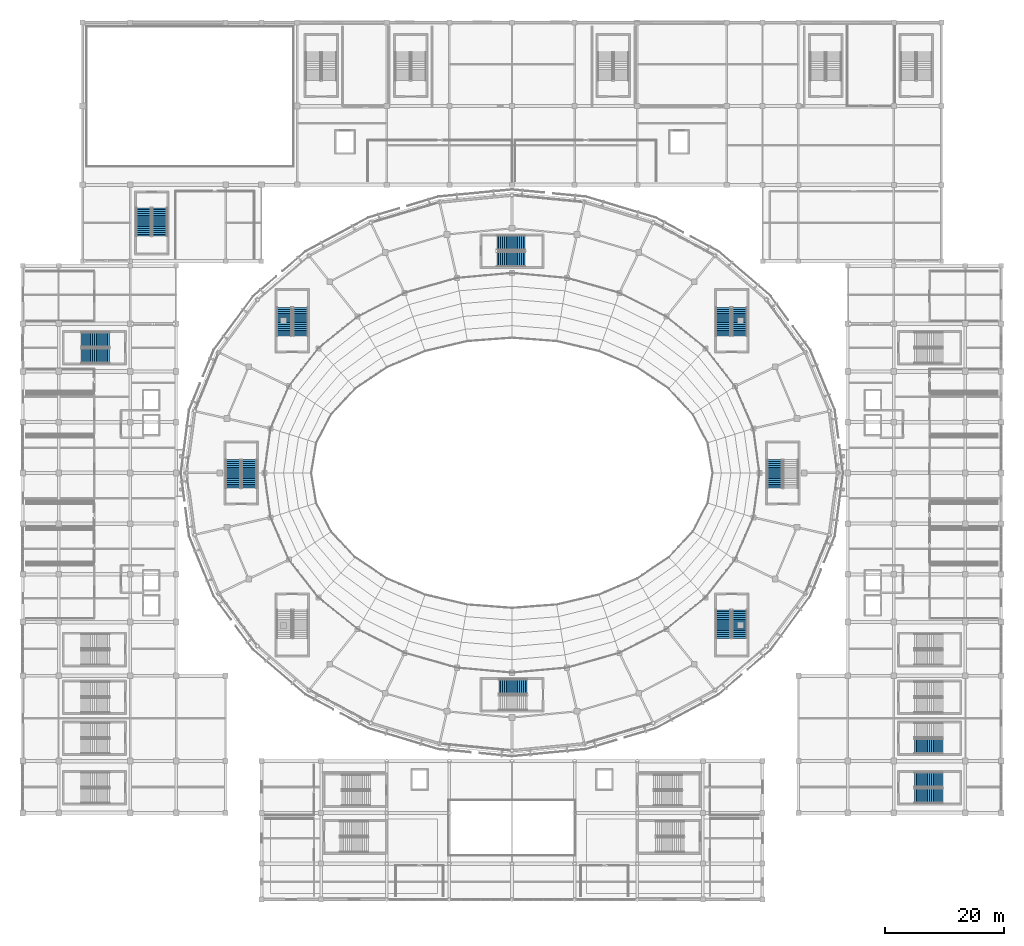
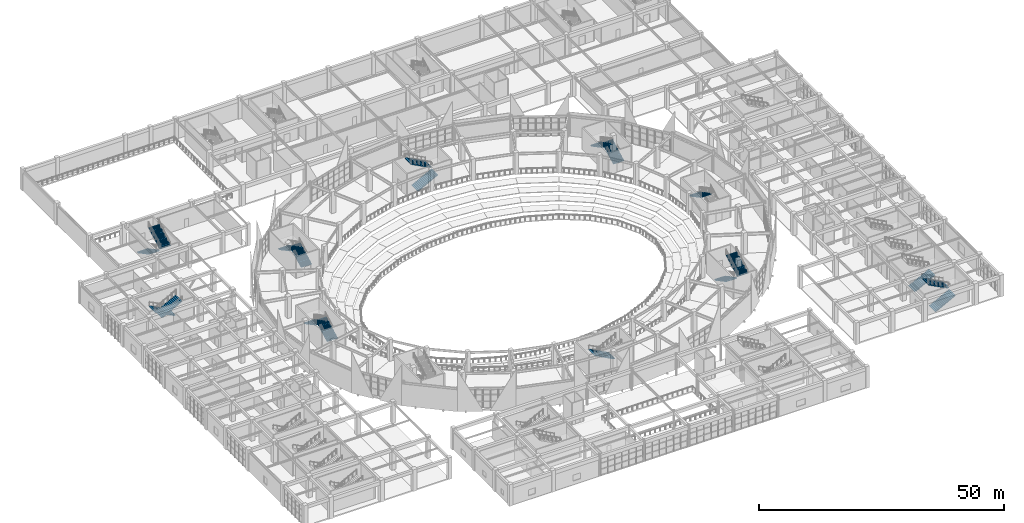
# One storey, part 87 of 120: 19 stair flights, 11 elements without a shape of their own.
"""IFC4 building model written with IfcOpenShell, lengths in metres."""

from ifc_helpers import new_model, si_unit, direction, frame, origin, place, context, subcontext, project, spatial, polyline, outline, extrude, material, type_object, element, aggregate, save


model = new_model("IFC4")

# Units and contexts
model_context = context("Model", 3, precision=1e-05, world=origin(), true_north=direction((0.0, 1.0)))
body_context = subcontext(model_context, "Body", "Model", "MODEL_VIEW")
ifc_project = project(units=[si_unit("LENGTHUNIT", "METRE"), si_unit("AREAUNIT", "SQUARE_METRE"), si_unit("VOLUMEUNIT", "CUBIC_METRE"), si_unit("PLANEANGLEUNIT", "RADIAN"), si_unit("MASSUNIT", "GRAM", prefix="KILO")], contexts=[model_context])

# Site, building, storey
site_placement = place(None, origin())
site = spatial("IfcSite", under=ifc_project, at=site_placement, CompositionType="ELEMENT")
building_placement = place(site_placement, origin())
building = spatial("IfcBuilding", under=site, at=building_placement, Name="Cuetzalor Civic Arena", CompositionType="ELEMENT")
storey_placement = place(building_placement, frame((0.0, 0.0, 6.0)))
storey = spatial("IfcBuildingStorey", under=building, at=storey_placement, Name="L01", CompositionType="ELEMENT", Elevation=6.0)

# Stair, stair flight
ifc_material_1 = material(Name="Precast concrete C40/50", Category="concrete")
stair_type = type_object("IfcStairType", Name="EnclosedExitStair_H540", PredefinedType="HALF_TURN_STAIR", material=ifc_material_1)
stair_1_placement = place(storey_placement, origin())
stair_1 = element("IfcStair", 1, at=stair_1_placement, inside=storey, type_object=stair_type, Name="L01 Enclosed Exit Stair ST-01", PredefinedType="HALF_TURN_STAIR")
ifc_material_2 = material(Name="Precast concrete C40/50", Category="concrete")
stair_flight_type = type_object("IfcStairFlightType", Name="ExitStairFlight_H540", PredefinedType="STRAIGHT", material=ifc_material_2)
stair_flight_1_placement = place(storey_placement, frame((44.050048828125, 2.219970703125, 2.699951171875), z_axis=(0.0, 0.0, 1.0), x_axis=(0.0, -1.0, 0.0)))
stair_flight_1 = element("IfcStairFlight", 2, at=stair_flight_1_placement, type_object=stair_flight_type, Name="ST-01 flight 2", NumberOfRisers=16, NumberOfTreads=15, PredefinedType="STRAIGHT", RiserHeight=0.16875, TreadLength=0.318, context=body_context, shape_type="SweptSolid", body=[
    extrude(outline(polyline([(0.0, 0.0), (0.0, 0.168701171875), (0.318115234375, 0.168701171875), (0.318115234375, 0.33740234375), (0.635986328125, 0.33740234375), (0.635986328125, 0.50634765625), (0.9541015625, 0.50634765625), (0.9541015625, 0.675048828125), (1.27197265625, 0.675048828125), (1.27197265625, 0.84375), (1.590087890625, 0.84375), (1.590087890625, 1.012451171875), (1.907958984375, 1.012451171875), (1.907958984375, 1.18115234375), (2.22607421875, 1.18115234375), (2.22607421875, 1.35009765625), (2.5439453125, 1.35009765625), (2.5439453125, 1.518798828125), (2.862060546875, 1.518798828125), (2.862060546875, 1.6875), (3.179931640625, 1.6875), (3.179931640625, 1.856201171875), (3.498046875, 1.856201171875), (3.498046875, 2.02490234375), (3.81591796875, 2.02490234375), (3.81591796875, 2.19384765625), (4.134033203125, 2.19384765625), (4.134033203125, 2.362548828125), (4.451904296875, 2.362548828125), (4.451904296875, 2.53125), (4.77001953125, 2.53125), (4.77001953125, 2.699951171875), (4.77001953125, 2.32763671875), (0.3837890625, 0.0), (0.0, 0.0)])), frame((0.0, 1.25, 0.0), z_axis=(0.0, -1.0, 0.0), x_axis=(1.0, 0.0, 0.0)), (0.0, 0.0, 1.0), 2.5),
])
aggregate(stair_1, [stair_flight_1])

# Stair, stair flights
stair_2_placement = place(storey_placement, origin())
stair_2 = element("IfcStair", 3, at=stair_2_placement, inside=storey, type_object=stair_type, Name="L01 Enclosed Exit Stair ST-02", PredefinedType="HALF_TURN_STAIR")
stair_flight_2_placement = place(storey_placement, frame((38.14990234375, 22.949951171875, 0.0), z_axis=(0.0, 0.0, 1.0), x_axis=(0.0, 1.0, 0.0)))
stair_flight_2 = element("IfcStairFlight", 4, at=stair_flight_2_placement, type_object=stair_flight_type, Name="ST-02 flight 1", NumberOfRisers=16, NumberOfTreads=15, PredefinedType="STRAIGHT", RiserHeight=0.16875, TreadLength=0.318, context=body_context, shape_type="SweptSolid", body=[
    extrude(outline(polyline([(0.0, 0.0), (0.0, 0.168701171875), (0.318115234375, 0.168701171875), (0.318115234375, 0.33740234375), (0.635986328125, 0.33740234375), (0.635986328125, 0.50634765625), (0.9541015625, 0.50634765625), (0.9541015625, 0.675048828125), (1.27197265625, 0.675048828125), (1.27197265625, 0.84375), (1.590087890625, 0.84375), (1.590087890625, 1.012451171875), (1.907958984375, 1.012451171875), (1.907958984375, 1.18115234375), (2.22607421875, 1.18115234375), (2.22607421875, 1.35009765625), (2.5439453125, 1.35009765625), (2.5439453125, 1.518798828125), (2.862060546875, 1.518798828125), (2.862060546875, 1.6875), (3.179931640625, 1.6875), (3.179931640625, 1.856201171875), (3.498046875, 1.856201171875), (3.498046875, 2.02490234375), (3.81591796875, 2.02490234375), (3.81591796875, 2.19384765625), (4.134033203125, 2.19384765625), (4.134033203125, 2.362548828125), (4.451904296875, 2.362548828125), (4.451904296875, 2.53125), (4.77001953125, 2.53125), (4.77001953125, 2.699951171875), (4.77001953125, 2.32763671875), (0.3837890625, 0.0), (0.0, 0.0)])), frame((0.0, 1.25, 0.0), z_axis=(0.0, -1.0, 0.0), x_axis=(1.0, 0.0, 0.0)), (0.0, 0.0, 1.0), 2.5),
])
stair_flight_3_placement = place(storey_placement, frame((35.449951171875, 27.719970703125, 2.699951171875), z_axis=(0.0, 0.0, 1.0), x_axis=(0.0, -1.0, 0.0)))
stair_flight_3 = element("IfcStairFlight", 5, at=stair_flight_3_placement, type_object=stair_flight_type, Name="ST-02 flight 2", NumberOfRisers=16, NumberOfTreads=15, PredefinedType="STRAIGHT", RiserHeight=0.16875, TreadLength=0.318, context=body_context, shape_type="SweptSolid", body=[
    extrude(outline(polyline([(0.0, 0.0), (0.0, 0.168701171875), (0.318115234375, 0.168701171875), (0.318115234375, 0.33740234375), (0.635986328125, 0.33740234375), (0.635986328125, 0.50634765625), (0.9541015625, 0.50634765625), (0.9541015625, 0.675048828125), (1.27197265625, 0.675048828125), (1.27197265625, 0.84375), (1.590087890625, 0.84375), (1.590087890625, 1.012451171875), (1.907958984375, 1.012451171875), (1.907958984375, 1.18115234375), (2.22607421875, 1.18115234375), (2.22607421875, 1.35009765625), (2.5439453125, 1.35009765625), (2.5439453125, 1.518798828125), (2.862060546875, 1.518798828125), (2.862060546875, 1.6875), (3.179931640625, 1.6875), (3.179931640625, 1.856201171875), (3.498046875, 1.856201171875), (3.498046875, 2.02490234375), (3.81591796875, 2.02490234375), (3.81591796875, 2.19384765625), (4.134033203125, 2.19384765625), (4.134033203125, 2.362548828125), (4.451904296875, 2.362548828125), (4.451904296875, 2.53125), (4.77001953125, 2.53125), (4.77001953125, 2.699951171875), (4.77001953125, 2.32763671875), (0.3837890625, 0.0), (0.0, 0.0)])), frame((0.0, 1.25, 0.0), z_axis=(0.0, -1.0, 0.0), x_axis=(1.0, 0.0, 0.0)), (0.0, 0.0, 1.0), 2.5),
])
aggregate(stair_2, [stair_flight_2, stair_flight_3])

stair_3_placement = place(storey_placement, origin())
stair_3 = element("IfcStair", 6, at=stair_3_placement, inside=storey, type_object=stair_type, Name="L01 Enclosed Exit Stair ST-03", PredefinedType="HALF_TURN_STAIR")
stair_flight_4_placement = place(storey_placement, frame((-2.550048828125, 35.85009765625, 0.0), z_axis=(0.0, 0.0, 1.0), x_axis=(1.0, 0.0, 0.0)))
stair_flight_4 = element("IfcStairFlight", 7, at=stair_flight_4_placement, type_object=stair_flight_type, Name="ST-03 flight 1", NumberOfRisers=16, NumberOfTreads=15, PredefinedType="STRAIGHT", RiserHeight=0.16875, TreadLength=0.318, context=body_context, shape_type="SweptSolid", body=[
    extrude(outline(polyline([(0.0, 0.0), (0.0, 0.168701171875), (0.318115234375, 0.168701171875), (0.318115234375, 0.33740234375), (0.635986328125, 0.33740234375), (0.635986328125, 0.50634765625), (0.9541015625, 0.50634765625), (0.9541015625, 0.675048828125), (1.27197265625, 0.675048828125), (1.27197265625, 0.84375), (1.590087890625, 0.84375), (1.590087890625, 1.012451171875), (1.907958984375, 1.012451171875), (1.907958984375, 1.18115234375), (2.22607421875, 1.18115234375), (2.22607421875, 1.35009765625), (2.5439453125, 1.35009765625), (2.5439453125, 1.518798828125), (2.862060546875, 1.518798828125), (2.862060546875, 1.6875), (3.179931640625, 1.6875), (3.179931640625, 1.856201171875), (3.498046875, 1.856201171875), (3.498046875, 2.02490234375), (3.81591796875, 2.02490234375), (3.81591796875, 2.19384765625), (4.134033203125, 2.19384765625), (4.134033203125, 2.362548828125), (4.451904296875, 2.362548828125), (4.451904296875, 2.53125), (4.77001953125, 2.53125), (4.77001953125, 2.699951171875), (4.77001953125, 2.32763671875), (0.3837890625, 0.0), (0.0, 0.0)])), frame((0.0, 1.25, 0.0), z_axis=(0.0, -1.0, 0.0), x_axis=(1.0, 0.0, 0.0)), (0.0, 0.0, 1.0), 2.5),
])
stair_flight_5_placement = place(storey_placement, frame((2.219970703125, 38.550048828125, 2.699951171875), z_axis=(0.0, 0.0, 1.0), x_axis=(-1.0, 0.0, 0.0)))
stair_flight_5 = element("IfcStairFlight", 8, at=stair_flight_5_placement, type_object=stair_flight_type, Name="ST-03 flight 2", NumberOfRisers=16, NumberOfTreads=15, PredefinedType="STRAIGHT", RiserHeight=0.16875, TreadLength=0.318, context=body_context, shape_type="SweptSolid", body=[
    extrude(outline(polyline([(0.0, 0.0), (0.0, 0.168701171875), (0.318115234375, 0.168701171875), (0.318115234375, 0.33740234375), (0.635986328125, 0.33740234375), (0.635986328125, 0.50634765625), (0.9541015625, 0.50634765625), (0.9541015625, 0.675048828125), (1.27197265625, 0.675048828125), (1.27197265625, 0.84375), (1.590087890625, 0.84375), (1.590087890625, 1.012451171875), (1.907958984375, 1.012451171875), (1.907958984375, 1.18115234375), (2.22607421875, 1.18115234375), (2.22607421875, 1.35009765625), (2.5439453125, 1.35009765625), (2.5439453125, 1.518798828125), (2.862060546875, 1.518798828125), (2.862060546875, 1.6875), (3.179931640625, 1.6875), (3.179931640625, 1.856201171875), (3.498046875, 1.856201171875), (3.498046875, 2.02490234375), (3.81591796875, 2.02490234375), (3.81591796875, 2.19384765625), (4.134033203125, 2.19384765625), (4.134033203125, 2.362548828125), (4.451904296875, 2.362548828125), (4.451904296875, 2.53125), (4.77001953125, 2.53125), (4.77001953125, 2.699951171875), (4.77001953125, 2.32763671875), (0.3837890625, 0.0), (0.0, 0.0)])), frame((0.0, 1.25, 0.0), z_axis=(0.0, -1.0, 0.0), x_axis=(1.0, 0.0, 0.0)), (0.0, 0.0, 1.0), 2.5),
])
aggregate(stair_3, [stair_flight_4, stair_flight_5])

stair_4_placement = place(storey_placement, origin())
stair_4 = element("IfcStair", 9, at=stair_4_placement, inside=storey, type_object=stair_type, Name="L01 Enclosed Exit Stair ST-04", PredefinedType="HALF_TURN_STAIR")
stair_flight_6_placement = place(storey_placement, frame((-35.449951171875, 22.949951171875, 0.0), z_axis=(0.0, 0.0, 1.0), x_axis=(0.0, 1.0, 0.0)))
stair_flight_6 = element("IfcStairFlight", 10, at=stair_flight_6_placement, type_object=stair_flight_type, Name="ST-04 flight 1", NumberOfRisers=16, NumberOfTreads=15, PredefinedType="STRAIGHT", RiserHeight=0.16875, TreadLength=0.318, context=body_context, shape_type="SweptSolid", body=[
    extrude(outline(polyline([(0.0, 0.0), (0.0, 0.168701171875), (0.318115234375, 0.168701171875), (0.318115234375, 0.33740234375), (0.635986328125, 0.33740234375), (0.635986328125, 0.50634765625), (0.9541015625, 0.50634765625), (0.9541015625, 0.675048828125), (1.27197265625, 0.675048828125), (1.27197265625, 0.84375), (1.590087890625, 0.84375), (1.590087890625, 1.012451171875), (1.907958984375, 1.012451171875), (1.907958984375, 1.18115234375), (2.22607421875, 1.18115234375), (2.22607421875, 1.35009765625), (2.5439453125, 1.35009765625), (2.5439453125, 1.518798828125), (2.862060546875, 1.518798828125), (2.862060546875, 1.6875), (3.179931640625, 1.6875), (3.179931640625, 1.856201171875), (3.498046875, 1.856201171875), (3.498046875, 2.02490234375), (3.81591796875, 2.02490234375), (3.81591796875, 2.19384765625), (4.134033203125, 2.19384765625), (4.134033203125, 2.362548828125), (4.451904296875, 2.362548828125), (4.451904296875, 2.53125), (4.77001953125, 2.53125), (4.77001953125, 2.699951171875), (4.77001953125, 2.32763671875), (0.3837890625, 0.0), (0.0, 0.0)])), frame((0.0, 1.25, 0.0), z_axis=(0.0, -1.0, 0.0), x_axis=(1.0, 0.0, 0.0)), (0.0, 0.0, 1.0), 2.5),
])
stair_flight_7_placement = place(storey_placement, frame((-38.14990234375, 27.719970703125, 2.699951171875), z_axis=(0.0, 0.0, 1.0), x_axis=(0.0, -1.0, 0.0)))
stair_flight_7 = element("IfcStairFlight", 11, at=stair_flight_7_placement, type_object=stair_flight_type, Name="ST-04 flight 2", NumberOfRisers=16, NumberOfTreads=15, PredefinedType="STRAIGHT", RiserHeight=0.16875, TreadLength=0.318, context=body_context, shape_type="SweptSolid", body=[
    extrude(outline(polyline([(0.0, 0.0), (0.0, 0.168701171875), (0.318115234375, 0.168701171875), (0.318115234375, 0.33740234375), (0.635986328125, 0.33740234375), (0.635986328125, 0.50634765625), (0.9541015625, 0.50634765625), (0.9541015625, 0.675048828125), (1.27197265625, 0.675048828125), (1.27197265625, 0.84375), (1.590087890625, 0.84375), (1.590087890625, 1.012451171875), (1.907958984375, 1.012451171875), (1.907958984375, 1.18115234375), (2.22607421875, 1.18115234375), (2.22607421875, 1.35009765625), (2.5439453125, 1.35009765625), (2.5439453125, 1.518798828125), (2.862060546875, 1.518798828125), (2.862060546875, 1.6875), (3.179931640625, 1.6875), (3.179931640625, 1.856201171875), (3.498046875, 1.856201171875), (3.498046875, 2.02490234375), (3.81591796875, 2.02490234375), (3.81591796875, 2.19384765625), (4.134033203125, 2.19384765625), (4.134033203125, 2.362548828125), (4.451904296875, 2.362548828125), (4.451904296875, 2.53125), (4.77001953125, 2.53125), (4.77001953125, 2.699951171875), (4.77001953125, 2.32763671875), (0.3837890625, 0.0), (0.0, 0.0)])), frame((0.0, 1.25, 0.0), z_axis=(0.0, -1.0, 0.0), x_axis=(1.0, 0.0, 0.0)), (0.0, 0.0, 1.0), 2.5),
])
aggregate(stair_4, [stair_flight_6, stair_flight_7])

stair_5_placement = place(storey_placement, origin())
stair_5 = element("IfcStair", 12, at=stair_5_placement, inside=storey, type_object=stair_type, Name="L01 Enclosed Exit Stair ST-05", PredefinedType="HALF_TURN_STAIR")
stair_flight_8_placement = place(storey_placement, frame((-44.050048828125, -2.550048828125, 0.0), z_axis=(0.0, 0.0, 1.0), x_axis=(0.0, 1.0, 0.0)))
stair_flight_8 = element("IfcStairFlight", 13, at=stair_flight_8_placement, type_object=stair_flight_type, Name="ST-05 flight 1", NumberOfRisers=16, NumberOfTreads=15, PredefinedType="STRAIGHT", RiserHeight=0.16875, TreadLength=0.318, context=body_context, shape_type="SweptSolid", body=[
    extrude(outline(polyline([(0.0, 0.0), (0.0, 0.168701171875), (0.318115234375, 0.168701171875), (0.318115234375, 0.33740234375), (0.635986328125, 0.33740234375), (0.635986328125, 0.50634765625), (0.9541015625, 0.50634765625), (0.9541015625, 0.675048828125), (1.27197265625, 0.675048828125), (1.27197265625, 0.84375), (1.590087890625, 0.84375), (1.590087890625, 1.012451171875), (1.907958984375, 1.012451171875), (1.907958984375, 1.18115234375), (2.22607421875, 1.18115234375), (2.22607421875, 1.35009765625), (2.5439453125, 1.35009765625), (2.5439453125, 1.518798828125), (2.862060546875, 1.518798828125), (2.862060546875, 1.6875), (3.179931640625, 1.6875), (3.179931640625, 1.856201171875), (3.498046875, 1.856201171875), (3.498046875, 2.02490234375), (3.81591796875, 2.02490234375), (3.81591796875, 2.19384765625), (4.134033203125, 2.19384765625), (4.134033203125, 2.362548828125), (4.451904296875, 2.362548828125), (4.451904296875, 2.53125), (4.77001953125, 2.53125), (4.77001953125, 2.699951171875), (4.77001953125, 2.32763671875), (0.3837890625, 0.0), (0.0, 0.0)])), frame((0.0, 1.25, 0.0), z_axis=(0.0, -1.0, 0.0), x_axis=(1.0, 0.0, 0.0)), (0.0, 0.0, 1.0), 2.5),
])
stair_flight_9_placement = place(storey_placement, frame((-46.75, 2.219970703125, 2.699951171875), z_axis=(0.0, 0.0, 1.0), x_axis=(0.0, -1.0, 0.0)))
stair_flight_9 = element("IfcStairFlight", 14, at=stair_flight_9_placement, type_object=stair_flight_type, Name="ST-05 flight 2", NumberOfRisers=16, NumberOfTreads=15, PredefinedType="STRAIGHT", RiserHeight=0.16875, TreadLength=0.318, context=body_context, shape_type="SweptSolid", body=[
    extrude(outline(polyline([(0.0, 0.0), (0.0, 0.168701171875), (0.318115234375, 0.168701171875), (0.318115234375, 0.33740234375), (0.635986328125, 0.33740234375), (0.635986328125, 0.50634765625), (0.9541015625, 0.50634765625), (0.9541015625, 0.675048828125), (1.27197265625, 0.675048828125), (1.27197265625, 0.84375), (1.590087890625, 0.84375), (1.590087890625, 1.012451171875), (1.907958984375, 1.012451171875), (1.907958984375, 1.18115234375), (2.22607421875, 1.18115234375), (2.22607421875, 1.35009765625), (2.5439453125, 1.35009765625), (2.5439453125, 1.518798828125), (2.862060546875, 1.518798828125), (2.862060546875, 1.6875), (3.179931640625, 1.6875), (3.179931640625, 1.856201171875), (3.498046875, 1.856201171875), (3.498046875, 2.02490234375), (3.81591796875, 2.02490234375), (3.81591796875, 2.19384765625), (4.134033203125, 2.19384765625), (4.134033203125, 2.362548828125), (4.451904296875, 2.362548828125), (4.451904296875, 2.53125), (4.77001953125, 2.53125), (4.77001953125, 2.699951171875), (4.77001953125, 2.32763671875), (0.3837890625, 0.0), (0.0, 0.0)])), frame((0.0, 1.25, 0.0), z_axis=(0.0, -1.0, 0.0), x_axis=(1.0, 0.0, 0.0)), (0.0, 0.0, 1.0), 2.5),
])
aggregate(stair_5, [stair_flight_8, stair_flight_9])

# Stair, stair flight
stair_6_placement = place(storey_placement, origin())
stair_6 = element("IfcStair", 15, at=stair_6_placement, inside=storey, type_object=stair_type, Name="L01 Enclosed Exit Stair ST-07", PredefinedType="HALF_TURN_STAIR")
stair_flight_10_placement = place(storey_placement, frame((2.550048828125, -35.85009765625, 0.0), z_axis=(0.0, 0.0, 1.0), x_axis=(-1.0, 0.0, 0.0)))
stair_flight_10 = element("IfcStairFlight", 16, at=stair_flight_10_placement, type_object=stair_flight_type, Name="ST-07 flight 1", NumberOfRisers=16, NumberOfTreads=15, PredefinedType="STRAIGHT", RiserHeight=0.16875, TreadLength=0.318, context=body_context, shape_type="SweptSolid", body=[
    extrude(outline(polyline([(0.0, 0.0), (0.0, 0.168701171875), (0.318115234375, 0.168701171875), (0.318115234375, 0.33740234375), (0.635986328125, 0.33740234375), (0.635986328125, 0.50634765625), (0.9541015625, 0.50634765625), (0.9541015625, 0.675048828125), (1.27197265625, 0.675048828125), (1.27197265625, 0.84375), (1.590087890625, 0.84375), (1.590087890625, 1.012451171875), (1.907958984375, 1.012451171875), (1.907958984375, 1.18115234375), (2.22607421875, 1.18115234375), (2.22607421875, 1.35009765625), (2.5439453125, 1.35009765625), (2.5439453125, 1.518798828125), (2.862060546875, 1.518798828125), (2.862060546875, 1.6875), (3.179931640625, 1.6875), (3.179931640625, 1.856201171875), (3.498046875, 1.856201171875), (3.498046875, 2.02490234375), (3.81591796875, 2.02490234375), (3.81591796875, 2.19384765625), (4.134033203125, 2.19384765625), (4.134033203125, 2.362548828125), (4.451904296875, 2.362548828125), (4.451904296875, 2.53125), (4.77001953125, 2.53125), (4.77001953125, 2.699951171875), (4.77001953125, 2.32763671875), (0.3837890625, 0.0), (0.0, 0.0)])), frame((0.0, 1.25, 0.0), z_axis=(0.0, -1.0, 0.0), x_axis=(1.0, 0.0, 0.0)), (0.0, 0.0, 1.0), 2.5),
])
aggregate(stair_6, [stair_flight_10])

# Stair, stair flights
stair_7_placement = place(storey_placement, origin())
stair_7 = element("IfcStair", 17, at=stair_7_placement, inside=storey, type_object=stair_type, Name="L01 Enclosed Exit Stair ST-08", PredefinedType="HALF_TURN_STAIR")
stair_flight_11_placement = place(storey_placement, frame((35.449951171875, -22.949951171875, 0.0), z_axis=(0.0, 0.0, 1.0), x_axis=(0.0, -1.0, 0.0)))
stair_flight_11 = element("IfcStairFlight", 18, at=stair_flight_11_placement, type_object=stair_flight_type, Name="ST-08 flight 1", NumberOfRisers=16, NumberOfTreads=15, PredefinedType="STRAIGHT", RiserHeight=0.16875, TreadLength=0.318, context=body_context, shape_type="SweptSolid", body=[
    extrude(outline(polyline([(0.0, 0.0), (0.0, 0.168701171875), (0.318115234375, 0.168701171875), (0.318115234375, 0.33740234375), (0.635986328125, 0.33740234375), (0.635986328125, 0.50634765625), (0.9541015625, 0.50634765625), (0.9541015625, 0.675048828125), (1.27197265625, 0.675048828125), (1.27197265625, 0.84375), (1.590087890625, 0.84375), (1.590087890625, 1.012451171875), (1.907958984375, 1.012451171875), (1.907958984375, 1.18115234375), (2.22607421875, 1.18115234375), (2.22607421875, 1.35009765625), (2.5439453125, 1.35009765625), (2.5439453125, 1.518798828125), (2.862060546875, 1.518798828125), (2.862060546875, 1.6875), (3.179931640625, 1.6875), (3.179931640625, 1.856201171875), (3.498046875, 1.856201171875), (3.498046875, 2.02490234375), (3.81591796875, 2.02490234375), (3.81591796875, 2.19384765625), (4.134033203125, 2.19384765625), (4.134033203125, 2.362548828125), (4.451904296875, 2.362548828125), (4.451904296875, 2.53125), (4.77001953125, 2.53125), (4.77001953125, 2.699951171875), (4.77001953125, 2.32763671875), (0.3837890625, 0.0), (0.0, 0.0)])), frame((0.0, 1.25, 0.0), z_axis=(0.0, -1.0, 0.0), x_axis=(1.0, 0.0, 0.0)), (0.0, 0.0, 1.0), 2.5),
])
stair_flight_12_placement = place(storey_placement, frame((38.14990234375, -27.719970703125, 2.699951171875), z_axis=(0.0, 0.0, 1.0), x_axis=(0.0, 1.0, 0.0)))
stair_flight_12 = element("IfcStairFlight", 19, at=stair_flight_12_placement, type_object=stair_flight_type, Name="ST-08 flight 2", NumberOfRisers=16, NumberOfTreads=15, PredefinedType="STRAIGHT", RiserHeight=0.16875, TreadLength=0.318, context=body_context, shape_type="SweptSolid", body=[
    extrude(outline(polyline([(0.0, 0.0), (0.0, 0.168701171875), (0.318115234375, 0.168701171875), (0.318115234375, 0.33740234375), (0.635986328125, 0.33740234375), (0.635986328125, 0.50634765625), (0.9541015625, 0.50634765625), (0.9541015625, 0.675048828125), (1.27197265625, 0.675048828125), (1.27197265625, 0.84375), (1.590087890625, 0.84375), (1.590087890625, 1.012451171875), (1.907958984375, 1.012451171875), (1.907958984375, 1.18115234375), (2.22607421875, 1.18115234375), (2.22607421875, 1.35009765625), (2.5439453125, 1.35009765625), (2.5439453125, 1.518798828125), (2.862060546875, 1.518798828125), (2.862060546875, 1.6875), (3.179931640625, 1.6875), (3.179931640625, 1.856201171875), (3.498046875, 1.856201171875), (3.498046875, 2.02490234375), (3.81591796875, 2.02490234375), (3.81591796875, 2.19384765625), (4.134033203125, 2.19384765625), (4.134033203125, 2.362548828125), (4.451904296875, 2.362548828125), (4.451904296875, 2.53125), (4.77001953125, 2.53125), (4.77001953125, 2.699951171875), (4.77001953125, 2.32763671875), (0.3837890625, 0.0), (0.0, 0.0)])), frame((0.0, 1.25, 0.0), z_axis=(0.0, -1.0, 0.0), x_axis=(1.0, 0.0, 0.0)), (0.0, 0.0, 1.0), 2.5),
])
aggregate(stair_7, [stair_flight_11, stair_flight_12])

stair_8_placement = place(storey_placement, origin())
stair_8 = element("IfcStair", 20, at=stair_8_placement, inside=storey, type_object=stair_type, Name="L01 Enclosed Exit Stair ST-17", PredefinedType="HALF_TURN_STAIR")
stair_flight_13_placement = place(storey_placement, frame((-67.449951171875, 22.35009765625, 0.0), z_axis=(0.0, 0.0, 1.0), x_axis=(-1.0, 0.0, 0.0)))
stair_flight_13 = element("IfcStairFlight", 21, at=stair_flight_13_placement, type_object=stair_flight_type, Name="ST-17 flight 1", NumberOfRisers=16, NumberOfTreads=15, PredefinedType="STRAIGHT", RiserHeight=0.16875, TreadLength=0.318, context=body_context, shape_type="SweptSolid", body=[
    extrude(outline(polyline([(0.0, 0.0), (0.0, 0.168701171875), (0.318115234375, 0.168701171875), (0.318115234375, 0.33740234375), (0.635986328125, 0.33740234375), (0.635986328125, 0.50634765625), (0.9541015625, 0.50634765625), (0.9541015625, 0.675048828125), (1.27197265625, 0.675048828125), (1.27197265625, 0.84375), (1.590087890625, 0.84375), (1.590087890625, 1.012451171875), (1.907958984375, 1.012451171875), (1.907958984375, 1.18115234375), (2.22607421875, 1.18115234375), (2.22607421875, 1.35009765625), (2.5439453125, 1.35009765625), (2.5439453125, 1.518798828125), (2.862060546875, 1.518798828125), (2.862060546875, 1.6875), (3.179931640625, 1.6875), (3.179931640625, 1.856201171875), (3.498046875, 1.856201171875), (3.498046875, 2.02490234375), (3.81591796875, 2.02490234375), (3.81591796875, 2.19384765625), (4.134033203125, 2.19384765625), (4.134033203125, 2.362548828125), (4.451904296875, 2.362548828125), (4.451904296875, 2.53125), (4.77001953125, 2.53125), (4.77001953125, 2.699951171875), (4.77001953125, 2.32763671875), (0.3837890625, 0.0), (0.0, 0.0)])), frame((0.0, 1.25, 0.0), z_axis=(0.0, -1.0, 0.0), x_axis=(1.0, 0.0, 0.0)), (0.0, 0.0, 1.0), 2.5),
])
stair_flight_14_placement = place(storey_placement, frame((-72.219970703125, 19.64990234375, 2.699951171875), z_axis=(0.0, 0.0, 1.0), x_axis=(1.0, 0.0, 0.0)))
stair_flight_14 = element("IfcStairFlight", 22, at=stair_flight_14_placement, type_object=stair_flight_type, Name="ST-17 flight 2", NumberOfRisers=16, NumberOfTreads=15, PredefinedType="STRAIGHT", RiserHeight=0.16875, TreadLength=0.318, context=body_context, shape_type="SweptSolid", body=[
    extrude(outline(polyline([(0.0, 0.0), (0.0, 0.168701171875), (0.318115234375, 0.168701171875), (0.318115234375, 0.33740234375), (0.635986328125, 0.33740234375), (0.635986328125, 0.50634765625), (0.9541015625, 0.50634765625), (0.9541015625, 0.675048828125), (1.27197265625, 0.675048828125), (1.27197265625, 0.84375), (1.590087890625, 0.84375), (1.590087890625, 1.012451171875), (1.907958984375, 1.012451171875), (1.907958984375, 1.18115234375), (2.22607421875, 1.18115234375), (2.22607421875, 1.35009765625), (2.5439453125, 1.35009765625), (2.5439453125, 1.518798828125), (2.862060546875, 1.518798828125), (2.862060546875, 1.6875), (3.179931640625, 1.6875), (3.179931640625, 1.856201171875), (3.498046875, 1.856201171875), (3.498046875, 2.02490234375), (3.81591796875, 2.02490234375), (3.81591796875, 2.19384765625), (4.134033203125, 2.19384765625), (4.134033203125, 2.362548828125), (4.451904296875, 2.362548828125), (4.451904296875, 2.53125), (4.77001953125, 2.53125), (4.77001953125, 2.699951171875), (4.77001953125, 2.32763671875), (0.3837890625, 0.0), (0.0, 0.0)])), frame((0.0, 1.25, 0.0), z_axis=(0.0, -1.0, 0.0), x_axis=(1.0, 0.0, 0.0)), (0.0, 0.0, 1.0), 2.5),
])
aggregate(stair_8, [stair_flight_13, stair_flight_14])

stair_9_placement = place(storey_placement, origin())
stair_9 = element("IfcStair", 23, at=stair_9_placement, inside=storey, type_object=stair_type, Name="L01 Enclosed Exit Stair ST-18", PredefinedType="HALF_TURN_STAIR")
stair_flight_15_placement = place(storey_placement, frame((67.449951171875, -54.14990234375, 0.0), z_axis=(0.0, 0.0, 1.0), x_axis=(1.0, 0.0, 0.0)))
stair_flight_15 = element("IfcStairFlight", 24, at=stair_flight_15_placement, type_object=stair_flight_type, Name="ST-18 flight 1", NumberOfRisers=16, NumberOfTreads=15, PredefinedType="STRAIGHT", RiserHeight=0.16875, TreadLength=0.318, context=body_context, shape_type="SweptSolid", body=[
    extrude(outline(polyline([(0.0, 0.0), (0.0, 0.168701171875), (0.318115234375, 0.168701171875), (0.318115234375, 0.33740234375), (0.635986328125, 0.33740234375), (0.635986328125, 0.50634765625), (0.9541015625, 0.50634765625), (0.9541015625, 0.675048828125), (1.27197265625, 0.675048828125), (1.27197265625, 0.84375), (1.590087890625, 0.84375), (1.590087890625, 1.012451171875), (1.907958984375, 1.012451171875), (1.907958984375, 1.18115234375), (2.22607421875, 1.18115234375), (2.22607421875, 1.35009765625), (2.5439453125, 1.35009765625), (2.5439453125, 1.518798828125), (2.862060546875, 1.518798828125), (2.862060546875, 1.6875), (3.179931640625, 1.6875), (3.179931640625, 1.856201171875), (3.498046875, 1.856201171875), (3.498046875, 2.02490234375), (3.81591796875, 2.02490234375), (3.81591796875, 2.19384765625), (4.134033203125, 2.19384765625), (4.134033203125, 2.362548828125), (4.451904296875, 2.362548828125), (4.451904296875, 2.53125), (4.77001953125, 2.53125), (4.77001953125, 2.699951171875), (4.77001953125, 2.32763671875), (0.3837890625, 0.0), (0.0, 0.0)])), frame((0.0, 1.25, 0.0), z_axis=(0.0, -1.0, 0.0), x_axis=(1.0, 0.0, 0.0)), (0.0, 0.0, 1.0), 2.5),
])
stair_flight_16_placement = place(storey_placement, frame((72.219970703125, -51.449951171875, 2.699951171875), z_axis=(0.0, 0.0, 1.0), x_axis=(-1.0, 0.0, 0.0)))
stair_flight_16 = element("IfcStairFlight", 25, at=stair_flight_16_placement, type_object=stair_flight_type, Name="ST-18 flight 2", NumberOfRisers=16, NumberOfTreads=15, PredefinedType="STRAIGHT", RiserHeight=0.16875, TreadLength=0.318, context=body_context, shape_type="SweptSolid", body=[
    extrude(outline(polyline([(0.0, 0.0), (0.0, 0.168701171875), (0.318115234375, 0.168701171875), (0.318115234375, 0.33740234375), (0.635986328125, 0.33740234375), (0.635986328125, 0.50634765625), (0.9541015625, 0.50634765625), (0.9541015625, 0.675048828125), (1.27197265625, 0.675048828125), (1.27197265625, 0.84375), (1.590087890625, 0.84375), (1.590087890625, 1.012451171875), (1.907958984375, 1.012451171875), (1.907958984375, 1.18115234375), (2.22607421875, 1.18115234375), (2.22607421875, 1.35009765625), (2.5439453125, 1.35009765625), (2.5439453125, 1.518798828125), (2.862060546875, 1.518798828125), (2.862060546875, 1.6875), (3.179931640625, 1.6875), (3.179931640625, 1.856201171875), (3.498046875, 1.856201171875), (3.498046875, 2.02490234375), (3.81591796875, 2.02490234375), (3.81591796875, 2.19384765625), (4.134033203125, 2.19384765625), (4.134033203125, 2.362548828125), (4.451904296875, 2.362548828125), (4.451904296875, 2.53125), (4.77001953125, 2.53125), (4.77001953125, 2.699951171875), (4.77001953125, 2.32763671875), (0.3837890625, 0.0), (0.0, 0.0)])), frame((0.0, 1.25, 0.0), z_axis=(0.0, -1.0, 0.0), x_axis=(1.0, 0.0, 0.0)), (0.0, 0.0, 1.0), 2.5),
])
aggregate(stair_9, [stair_flight_15, stair_flight_16])

# Stair, stair flight
stair_10_placement = place(storey_placement, origin())
stair_10 = element("IfcStair", 26, at=stair_10_placement, inside=storey, type_object=stair_type, Name="L01 Enclosed Exit Stair ST-19", PredefinedType="HALF_TURN_STAIR")
stair_flight_17_placement = place(storey_placement, frame((67.449951171875, -45.85009765625, 0.0), z_axis=(0.0, 0.0, 1.0), x_axis=(1.0, 0.0, 0.0)))
stair_flight_17 = element("IfcStairFlight", 27, at=stair_flight_17_placement, type_object=stair_flight_type, Name="ST-19 flight 1", NumberOfRisers=16, NumberOfTreads=15, PredefinedType="STRAIGHT", RiserHeight=0.16875, TreadLength=0.318, context=body_context, shape_type="SweptSolid", body=[
    extrude(outline(polyline([(0.0, 0.0), (0.0, 0.168701171875), (0.318115234375, 0.168701171875), (0.318115234375, 0.33740234375), (0.635986328125, 0.33740234375), (0.635986328125, 0.50634765625), (0.9541015625, 0.50634765625), (0.9541015625, 0.675048828125), (1.27197265625, 0.675048828125), (1.27197265625, 0.84375), (1.590087890625, 0.84375), (1.590087890625, 1.012451171875), (1.907958984375, 1.012451171875), (1.907958984375, 1.18115234375), (2.22607421875, 1.18115234375), (2.22607421875, 1.35009765625), (2.5439453125, 1.35009765625), (2.5439453125, 1.518798828125), (2.862060546875, 1.518798828125), (2.862060546875, 1.6875), (3.179931640625, 1.6875), (3.179931640625, 1.856201171875), (3.498046875, 1.856201171875), (3.498046875, 2.02490234375), (3.81591796875, 2.02490234375), (3.81591796875, 2.19384765625), (4.134033203125, 2.19384765625), (4.134033203125, 2.362548828125), (4.451904296875, 2.362548828125), (4.451904296875, 2.53125), (4.77001953125, 2.53125), (4.77001953125, 2.699951171875), (4.77001953125, 2.32763671875), (0.3837890625, 0.0), (0.0, 0.0)])), frame((0.0, 1.25, 0.0), z_axis=(0.0, -1.0, 0.0), x_axis=(1.0, 0.0, 0.0)), (0.0, 0.0, 1.0), 2.5),
])
aggregate(stair_10, [stair_flight_17])

# Stair, stair flights
stair_11_placement = place(storey_placement, origin())
stair_11 = element("IfcStair", 28, at=stair_11_placement, inside=storey, type_object=stair_type, Name="L01 Enclosed Exit Stair ST-23", PredefinedType="HALF_TURN_STAIR")
stair_flight_18_placement = place(storey_placement, frame((-61.75, 44.449951171875, 0.0), z_axis=(0.0, 0.0, 1.0), x_axis=(0.0, -1.0, 0.0)))
stair_flight_18 = element("IfcStairFlight", 29, at=stair_flight_18_placement, type_object=stair_flight_type, Name="ST-23 flight 1", NumberOfRisers=16, NumberOfTreads=15, PredefinedType="STRAIGHT", RiserHeight=0.16875, TreadLength=0.318, context=body_context, shape_type="SweptSolid", body=[
    extrude(outline(polyline([(0.0, 0.0), (0.0, 0.168701171875), (0.318115234375, 0.168701171875), (0.318115234375, 0.33740234375), (0.635986328125, 0.33740234375), (0.635986328125, 0.50634765625), (0.9541015625, 0.50634765625), (0.9541015625, 0.675048828125), (1.27197265625, 0.675048828125), (1.27197265625, 0.84375), (1.590087890625, 0.84375), (1.590087890625, 1.012451171875), (1.907958984375, 1.012451171875), (1.907958984375, 1.18115234375), (2.22607421875, 1.18115234375), (2.22607421875, 1.35009765625), (2.5439453125, 1.35009765625), (2.5439453125, 1.518798828125), (2.862060546875, 1.518798828125), (2.862060546875, 1.6875), (3.179931640625, 1.6875), (3.179931640625, 1.856201171875), (3.498046875, 1.856201171875), (3.498046875, 2.02490234375), (3.81591796875, 2.02490234375), (3.81591796875, 2.19384765625), (4.134033203125, 2.19384765625), (4.134033203125, 2.362548828125), (4.451904296875, 2.362548828125), (4.451904296875, 2.53125), (4.77001953125, 2.53125), (4.77001953125, 2.699951171875), (4.77001953125, 2.32763671875), (0.3837890625, 0.0), (0.0, 0.0)])), frame((0.0, 1.25, 0.0), z_axis=(0.0, -1.0, 0.0), x_axis=(1.0, 0.0, 0.0)), (0.0, 0.0, 1.0), 2.5),
])
stair_flight_19_placement = place(storey_placement, frame((-59.050048828125, 39.679931640625, 2.699951171875), z_axis=(0.0, 0.0, 1.0), x_axis=(0.0, 1.0, 0.0)))
stair_flight_19 = element("IfcStairFlight", 30, at=stair_flight_19_placement, type_object=stair_flight_type, Name="ST-23 flight 2", NumberOfRisers=16, NumberOfTreads=15, PredefinedType="STRAIGHT", RiserHeight=0.16875, TreadLength=0.318, context=body_context, shape_type="SweptSolid", body=[
    extrude(outline(polyline([(0.0, 0.0), (0.0, 0.168701171875), (0.318115234375, 0.168701171875), (0.318115234375, 0.33740234375), (0.635986328125, 0.33740234375), (0.635986328125, 0.50634765625), (0.9541015625, 0.50634765625), (0.9541015625, 0.675048828125), (1.27197265625, 0.675048828125), (1.27197265625, 0.84375), (1.590087890625, 0.84375), (1.590087890625, 1.012451171875), (1.907958984375, 1.012451171875), (1.907958984375, 1.18115234375), (2.22607421875, 1.18115234375), (2.22607421875, 1.35009765625), (2.5439453125, 1.35009765625), (2.5439453125, 1.518798828125), (2.862060546875, 1.518798828125), (2.862060546875, 1.6875), (3.179931640625, 1.6875), (3.179931640625, 1.856201171875), (3.498046875, 1.856201171875), (3.498046875, 2.02490234375), (3.81591796875, 2.02490234375), (3.81591796875, 2.19384765625), (4.134033203125, 2.19384765625), (4.134033203125, 2.362548828125), (4.451904296875, 2.362548828125), (4.451904296875, 2.53125), (4.77001953125, 2.53125), (4.77001953125, 2.699951171875), (4.77001953125, 2.32763671875), (0.3837890625, 0.0), (0.0, 0.0)])), frame((0.0, 1.25, 0.0), z_axis=(0.0, -1.0, 0.0), x_axis=(1.0, 0.0, 0.0)), (0.0, 0.0, 1.0), 2.5),
])
aggregate(stair_11, [stair_flight_18, stair_flight_19])

save(model, "model.ifc")
